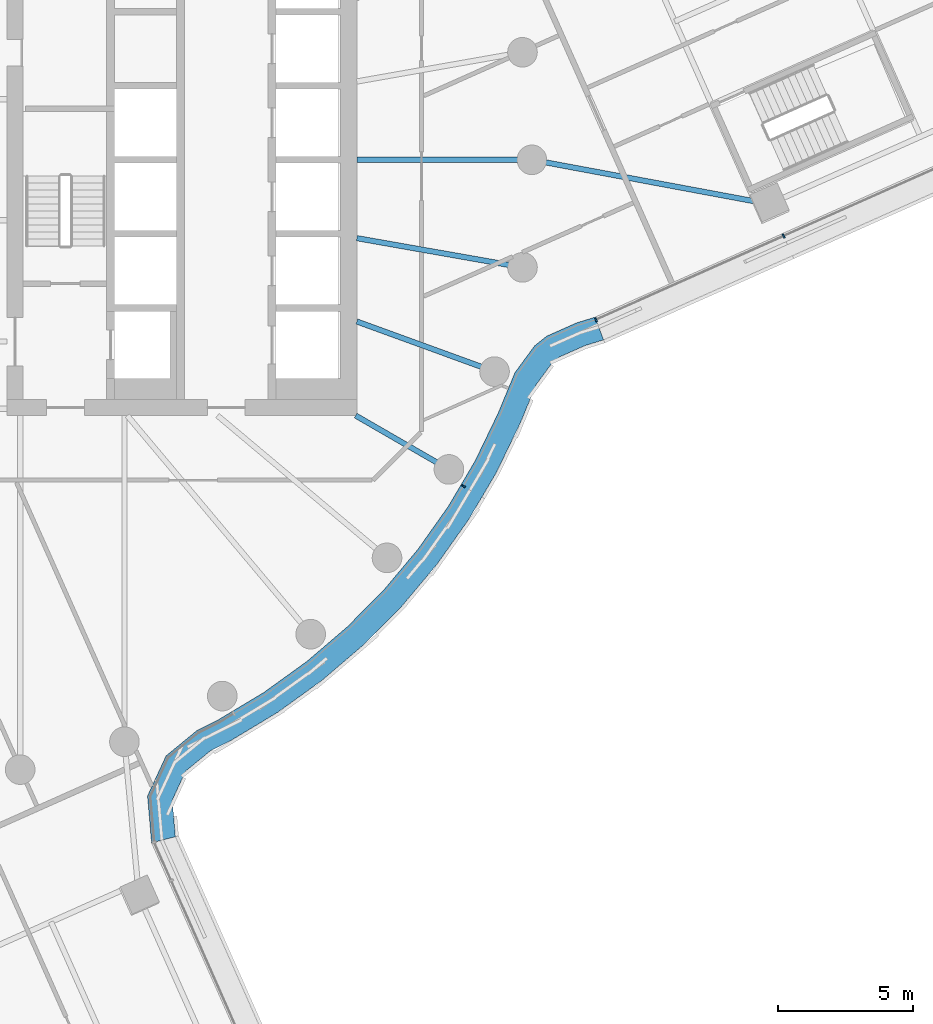
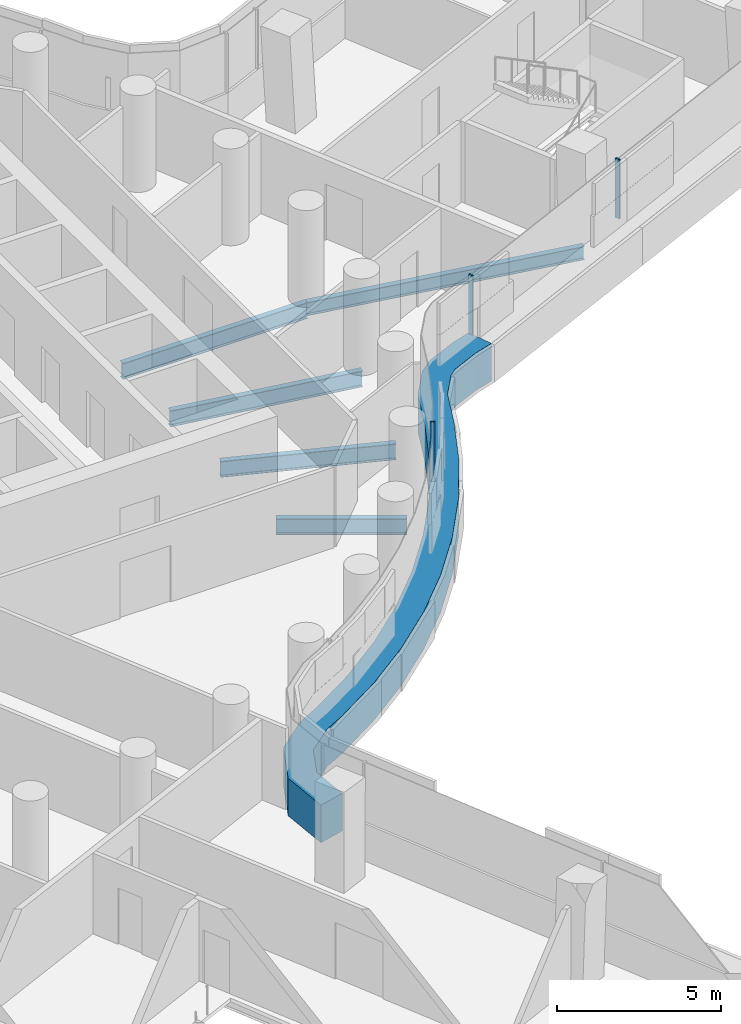
# One storey, part 10 of 35: 5 beams, 4 members, 2 elements without a shape of their own.
"""IFC4 building model written with IfcOpenShell, lengths in metres."""

from ifc_helpers import new_model, si_unit, direction, frame, origin, origin_2d, place, context, subcontext, project, spatial, polyline, rectangle, i_section, outline, extrude, material, layer, layer_set, material_profile, profile_set, type_object, element, aggregate, save


model = new_model("IFC4")

# Units and contexts
model_context = context("Model", 3, precision=1e-05, world=origin(), true_north=direction((0.0, 1.0)))
body_context = subcontext(model_context, "Body", "Model", "MODEL_VIEW")
ifc_project = project(units=[si_unit("LENGTHUNIT", "METRE"), si_unit("AREAUNIT", "SQUARE_METRE"), si_unit("VOLUMEUNIT", "CUBIC_METRE"), si_unit("PLANEANGLEUNIT", "RADIAN"), si_unit("MASSUNIT", "GRAM", prefix="KILO")], contexts=[model_context])

# Site, building, storey
site_placement = place(None, origin())
site = spatial("IfcSite", under=ifc_project, at=site_placement, CompositionType="ELEMENT")
building_placement = place(site_placement, origin())
building = spatial("IfcBuilding", under=site, at=building_placement, Name="Tamarind Cross Interchange Tower", CompositionType="ELEMENT")
storey_placement = place(building_placement, frame((0.0, 0.0, 121.0)))
storey = spatial("IfcBuildingStorey", under=building, at=storey_placement, Name="L29", CompositionType="ELEMENT", Elevation=121.0)

# Beams
ifc_material_1 = material(Name="Steel Q355B", Category="steel")
ifc_material_profile_1 = material_profile(ifc_material_1, i_section(OverallWidth=0.198974609375, OverallDepth=0.49609375, WebThickness=0.009033203125, FlangeThickness=0.013916015625, FilletRadius=0.012939453125, at=origin_2d()), Name="HN 496x199x9x14")
ifc_profile_set_1 = profile_set([ifc_material_profile_1], Name="Steel Q355B")
beam_type_1 = type_object("IfcBeamType", Name="Composite beam HN 496x199x9x14 Q355B", PredefinedType="BEAM", material=ifc_profile_set_1)
beam_1_placement = place(storey_placement, frame((31.8203125, -1.643310546875, -0.387939453125), z_axis=(-0.983083475682, 0.183158073373, 0.0), x_axis=(-0.183158073373, -0.983083475682, 0.0)))
element("IfcBeam", 1, at=beam_1_placement, inside=storey, type_object=beam_type_1, Name="Beam E-linkem", PredefinedType="BEAM", context=body_context, shape_type="SweptSolid", body=[
    extrude(i_section(OverallWidth=0.198974609375, OverallDepth=0.49609375, WebThickness=0.009033203125, FlangeThickness=0.013916015625, FilletRadius=0.012939453125, at=origin_2d()), origin(), (0.0, 0.0, 1.0), 8.97216796875),
])
ifc_material_profile_2 = material_profile(ifc_material_1, i_section(OverallWidth=0.198974609375, OverallDepth=0.595947265625, WebThickness=0.010009765625, FlangeThickness=0.014892578125, FilletRadius=0.012939453125, at=origin_2d()), Name="HN 596x199x10x15")
ifc_profile_set_2 = profile_set([ifc_material_profile_2], Name="Steel Q355B")
beam_type_2 = type_object("IfcBeamType", Name="Composite beam HN 596x199x10x15 Q355B", PredefinedType="BEAM", material=ifc_profile_set_2)
beam_2_placement = place(storey_placement, frame((23.0, 0.0, -0.43798828125), z_axis=(-1.0, 0.0, 0.0), x_axis=(0.0, -1.0, 0.0)))
element("IfcBeam", 2, at=beam_2_placement, inside=storey, type_object=beam_type_2, Name="Beam HH00", PredefinedType="BEAM", context=body_context, shape_type="SweptSolid", body=[
    extrude(i_section(OverallWidth=0.198974609375, OverallDepth=0.595947265625, WebThickness=0.010009765625, FlangeThickness=0.014892578125, FilletRadius=0.012939453125, at=origin_2d()), origin(), (0.0, 0.0, 1.0), 6.5),
])
beam_3_placement = place(storey_placement, frame((19.918701171875, -11.5, -0.43798828125), z_axis=(-0.866026010844, 0.49999894854, 0.0), x_axis=(-0.49999894854, -0.866026010844, 0.0)))
element("IfcBeam", 3, at=beam_3_placement, inside=storey, type_object=beam_type_2, Name="Beam HH33", PredefinedType="BEAM", context=body_context, shape_type="SweptSolid", body=[
    extrude(i_section(OverallWidth=0.198974609375, OverallDepth=0.595947265625, WebThickness=0.010009765625, FlangeThickness=0.014892578125, FilletRadius=0.012939453125, at=origin_2d()), origin(), (0.0, 0.0, 1.0), 4.0),
])
beam_4_placement = place(storey_placement, frame((21.613037109375, -7.866455078125, -0.43798828125), z_axis=(-0.939701685589, 0.341995236956, 0.0), x_axis=(-0.341995236956, -0.939701685589, 0.0)))
element("IfcBeam", 4, at=beam_4_placement, inside=storey, type_object=beam_type_2, Name="Beam HH34", PredefinedType="BEAM", context=body_context, shape_type="SweptSolid", body=[
    extrude(i_section(OverallWidth=0.198974609375, OverallDepth=0.595947265625, WebThickness=0.010009765625, FlangeThickness=0.014892578125, FilletRadius=0.012939453125, at=origin_2d()), origin(), (0.0, 0.0, 1.0), 5.441162109375),
])
beam_5_placement = place(storey_placement, frame((22.650634765625, -3.993896484375, -0.43798828125), z_axis=(-0.984809127561, 0.173640382036, 0.0), x_axis=(-0.173640382036, -0.984809127561, 0.0)))
element("IfcBeam", 5, at=beam_5_placement, inside=storey, type_object=beam_type_2, Name="Beam HH35", PredefinedType="BEAM", context=body_context, shape_type="SweptSolid", body=[
    extrude(i_section(OverallWidth=0.198974609375, OverallDepth=0.595947265625, WebThickness=0.010009765625, FlangeThickness=0.014892578125, FilletRadius=0.012939453125, at=origin_2d()), origin(), (0.0, 0.0, 1.0), 6.24560546875),
])

# Curtain wall, members
ifc_material_2 = material(Name="Aluminium 6063-T6", Category="aluminium")
ifc_layer = layer(ifc_material_2, 0.159912109375)
ifc_layer_set = layer_set([ifc_layer], Name="Aluminium 6063-T6")
curtain_wall_type = type_object("IfcCurtainWallType", Name="Office curtain wall, 9.0 m bays", PredefinedType="NOTDEFINED", material=ifc_layer_set)
curtain_wall_1_placement = place(storey_placement, origin())
curtain_wall_1 = element("IfcCurtainWall", 6, at=curtain_wall_1_placement, inside=storey, type_object=curtain_wall_type, Name="CWS-L29-06", PredefinedType="NOTDEFINED")
ifc_material_3 = material(Name="Aluminium and insulated spandrel panel", Category="aluminium")
member_type_1 = type_object("IfcMemberType", Name="Floor-edge blade transom", PredefinedType="USERDEFINED", material=ifc_material_3)
member_1_placement = place(storey_placement, origin())
member_1 = element("IfcMember", 7, at=member_1_placement, type_object=member_type_1, Name="CWT-L29-06", ObjectType="TRANSOM", PredefinedType="USERDEFINED", context=body_context, shape_type="SweptSolid", body=[
    extrude(outline(polyline([(8.8740234375, -25.369873046875), (8.724365234375, -23.626708984375), (9.412109375, -22.138427734375), (10.5625, -21.1943359375), (11.36669921875, -20.79150390625), (13.045654296875, -19.78125), (14.634521484375, -18.636474609375), (16.12353515625, -17.3642578125), (17.50244140625, -15.973388671875), (18.76171875, -14.4736328125), (19.892822265625, -12.874755859375), (20.88818359375, -11.188232421875), (21.7421875, -9.421630859375), (22.37109375, -7.90380859375), (23.096435546875, -6.913818359375), (23.5517578125, -6.547119140625), (24.65673828125, -6.056396484375), (25.34619140625, -5.843994140625), (25.6630859375, -6.68798828125), (24.97314453125, -6.900634765625), (24.024658203125, -7.32177734375), (23.7529296875, -7.540771484375), (23.1611328125, -8.348388671875), (22.563720703125, -9.7900390625), (21.68212890625, -11.613525390625), (20.64892578125, -13.3642578125), (19.474853515625, -15.023681640625), (18.167724609375, -16.580810546875), (16.736572265625, -18.0244140625), (15.19091796875, -19.344970703125), (13.54150390625, -20.533203125), (11.801025390625, -21.58056640625), (11.0556640625, -21.953857421875), (10.142578125, -22.703125), (9.641357421875, -23.78759765625), (9.7578125, -25.142822265625), (8.8740234375, -25.369873046875)])), origin(), (0.0, 0.0, 1.0), 1.39990234375),
])
ifc_material_profile_3 = material_profile(ifc_material_2, rectangle(XDim=0.06005859375, YDim=0.159912109375, at=origin_2d()), Name="Mullion CW1")
ifc_profile_set_3 = profile_set([ifc_material_profile_3], Name="Aluminium 6063-T6")
member_type_2 = type_object("IfcMemberType", Name="Mullion CW1", PredefinedType="MULLION", material=ifc_profile_set_3)
member_2_placement = place(storey_placement, frame((20.456298828125, -12.116943359375, 1.39990234375), z_axis=(0.0, 0.0, 1.0), x_axis=(0.508183308752, 0.861248933065, 0.0)))
member_2 = element("IfcMember", 8, at=member_2_placement, type_object=member_type_2, Name="CWM-L29-06-02", PredefinedType="MULLION", context=body_context, shape_type="SweptSolid", body=[
    extrude(rectangle(XDim=0.06005859375, YDim=0.159912109375, at=origin_2d()), origin(), (0.0, 0.0, 1.0), 2.210205078125),
])
aggregate(curtain_wall_1, [member_2, member_1])

curtain_wall_2_placement = place(storey_placement, origin())
curtain_wall_2 = element("IfcCurtainWall", 9, at=curtain_wall_2_placement, inside=storey, type_object=curtain_wall_type, Name="CWS-L29-07", PredefinedType="NOTDEFINED")
member_3_placement = place(storey_placement, frame((25.38134765625, -5.937744140625, 1.39990234375), z_axis=(0.0, 0.0, 1.0), x_axis=(0.936175150473, 0.35153390681, 0.0)))
member_3 = element("IfcMember", 10, at=member_3_placement, type_object=member_type_2, Name="CWM-L29-07-00", PredefinedType="MULLION", context=body_context, shape_type="SweptSolid", body=[
    extrude(rectangle(XDim=0.06005859375, YDim=0.159912109375, at=origin_2d()), origin(), (0.0, 0.0, 1.0), 2.210205078125),
])
member_4_placement = place(storey_placement, frame((32.349853515625, -2.83056640625, 1.39990234375), z_axis=(0.0, 0.0, 1.0), x_axis=(0.913329522698, 0.407221294835, 0.0)))
member_4 = element("IfcMember", 11, at=member_4_placement, type_object=member_type_2, Name="CWM-L29-07-01", PredefinedType="MULLION", context=body_context, shape_type="SweptSolid", body=[
    extrude(rectangle(XDim=0.06005859375, YDim=0.159912109375, at=origin_2d()), origin(), (0.0, 0.0, 1.0), 2.210205078125),
])
aggregate(curtain_wall_2, [member_3, member_4])

save(model, "model.ifc")
